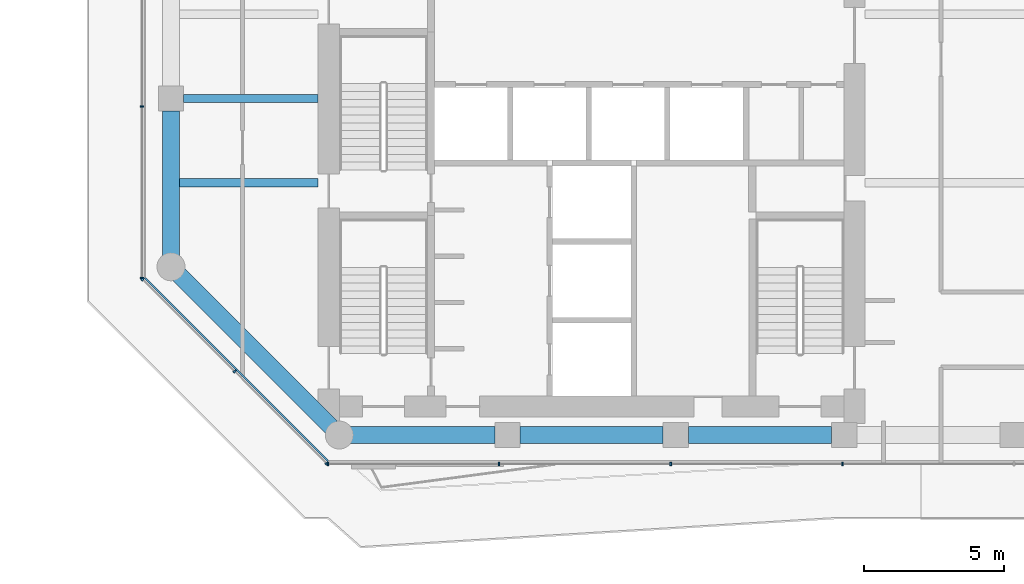
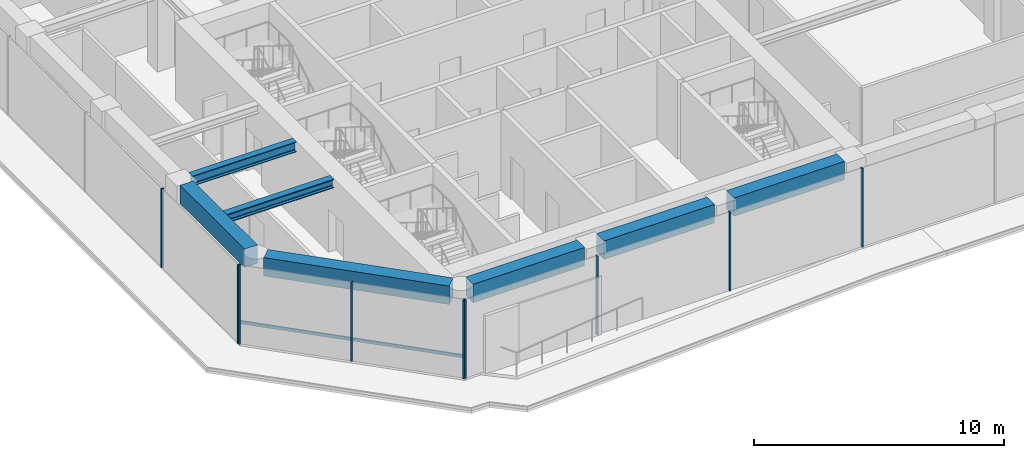
# One storey, part 2 of 23: 10 members, 7 beams, 3 elements without a shape of their own.
"""IFC4 building model written with IfcOpenShell, lengths in metres."""

from ifc_helpers import new_model, si_unit, direction, frame, origin, origin_2d, place, context, subcontext, project, spatial, rectangle, i_section, extrude, material, layer, layer_set, material_profile, profile_set, type_object, element, aggregate, save


model = new_model("IFC4")

# Units and contexts
model_context = context("Model", 3, precision=1e-05, world=origin(), true_north=direction((0.0, 1.0)))
body_context = subcontext(model_context, "Body", "Model", "MODEL_VIEW")
ifc_project = project(units=[si_unit("LENGTHUNIT", "METRE"), si_unit("AREAUNIT", "SQUARE_METRE"), si_unit("VOLUMEUNIT", "CUBIC_METRE"), si_unit("PLANEANGLEUNIT", "RADIAN"), si_unit("MASSUNIT", "GRAM", prefix="KILO")], contexts=[model_context])

# Site, building, storey
site_placement = place(None, origin())
site = spatial("IfcSite", under=ifc_project, at=site_placement, CompositionType="ELEMENT")
building_placement = place(site_placement, origin())
building = spatial("IfcBuilding", under=site, at=building_placement, Name="Welwitschia Terrace Campus", CompositionType="ELEMENT")
storey_placement = place(building_placement, frame((0.0, 0.0, 96.199951171875)))
storey = spatial("IfcBuildingStorey", under=building, at=storey_placement, Name="L21", CompositionType="ELEMENT", Elevation=96.199951171875)

# Beam
ifc_material_1 = material(Name="Steel S355", Category="steel")
ifc_material_profile_1 = material_profile(ifc_material_1, i_section(OverallWidth=0.306884765625, OverallDepth=0.431884765625, WebThickness=0.02099609375, FlangeThickness=0.0400390625, FilletRadius=0.027099609375, at=origin_2d()))
ifc_profile_set_1 = profile_set([ifc_material_profile_1], Name="Steel S355")
beam_type_1 = type_object("IfcBeamType", Name="Interior girder HE 400 M", PredefinedType="BEAM", material=ifc_profile_set_1)
beam_1_placement = place(storey_placement, frame((-0.010009765625, 13.0, 3.634033203125), z_axis=(1.0, 0.0, 0.0), x_axis=(0.0, 1.0, 0.0)))
element("IfcBeam", 1, at=beam_1_placement, inside=storey, type_object=beam_type_1, Name="Girder GB3", PredefinedType="BEAM", context=body_context, shape_type="SweptSolid", body=[
    extrude(i_section(OverallWidth=0.306884765625, OverallDepth=0.431884765625, WebThickness=0.02099609375, FlangeThickness=0.0400390625, FilletRadius=0.027099609375, at=origin_2d()), origin(), (0.0, 0.0, 1.0), 5.259033203125),
])

# Curtain wall, members
ifc_material_2 = material(Name="Bronze anodised aluminium", Category="aluminium")
ifc_layer = layer(ifc_material_2, 0.1201171875)
ifc_layer_set = layer_set([ifc_layer], Name="Bronze anodised aluminium")
curtain_wall_type = type_object("IfcCurtainWallType", Name="Curtain wall CW2 tower 6000", PredefinedType="NOTDEFINED", material=ifc_layer_set)
curtain_wall_1_placement = place(storey_placement, origin())
curtain_wall_1 = element("IfcCurtainWall", 2, at=curtain_wall_1_placement, inside=storey, type_object=curtain_wall_type, Name="CW L21.0.0", PredefinedType="NOTDEFINED")
ifc_material_3 = material(Name="Bronze anodised aluminium", Category="aluminium")
ifc_material_profile_2 = material_profile(ifc_material_3, rectangle(XDim=0.1201171875, YDim=0.06005859375, at=origin_2d()))
ifc_profile_set_2 = profile_set([ifc_material_profile_2], Name="Bronze anodised aluminium")
member_type_1 = type_object("IfcMemberType", Name="Mullion 60x120", PredefinedType="MULLION", material=ifc_profile_set_2)
member_1_placement = place(storey_placement, frame((-1.0087890625, 9.55224609375, 0.0), z_axis=(0.0, 0.0, 1.0), x_axis=(0.707106781187, 0.707106781187, 0.0)))
member_1 = element("IfcMember", 3, at=member_1_placement, type_object=member_type_1, Name="Mullion L21.0.0.0", PredefinedType="MULLION", context=body_context, shape_type="SweptSolid", body=[
    extrude(rectangle(XDim=0.1201171875, YDim=0.06005859375, at=origin_2d()), origin(), (0.0, 0.0, 1.0), 3.85009765625),
])
member_2_placement = place(storey_placement, frame((2.271728515625, 6.271728515625, 0.0), z_axis=(0.0, 0.0, 1.0), x_axis=(0.707106781187, 0.707106781187, 0.0)))
member_2 = element("IfcMember", 4, at=member_2_placement, type_object=member_type_1, Name="Mullion L21.0.0.1", PredefinedType="MULLION", context=body_context, shape_type="SweptSolid", body=[
    extrude(rectangle(XDim=0.1201171875, YDim=0.06005859375, at=origin_2d()), origin(), (0.0, 0.0, 1.0), 3.85009765625),
])
member_3_placement = place(storey_placement, frame((5.55224609375, 2.9912109375, 0.0), z_axis=(0.0, 0.0, 1.0), x_axis=(0.707106781187, 0.707106781187, 0.0)))
member_3 = element("IfcMember", 5, at=member_3_placement, type_object=member_type_1, Name="Mullion L21.0.0.2", PredefinedType="MULLION", context=body_context, shape_type="SweptSolid", body=[
    extrude(rectangle(XDim=0.1201171875, YDim=0.06005859375, at=origin_2d()), origin(), (0.0, 0.0, 1.0), 3.85009765625),
])

curtain_wall_2_placement = place(storey_placement, origin())
curtain_wall_2 = element("IfcCurtainWall", 6, at=curtain_wall_2_placement, inside=storey, type_object=curtain_wall_type, Name="CW L21.1.0", PredefinedType="NOTDEFINED")
member_4_placement = place(storey_placement, frame((5.603271484375, 2.969970703125, 0.0), z_axis=(0.0, 0.0, 1.0), x_axis=(0.0, 1.0, 0.0)))
member_4 = element("IfcMember", 7, at=member_4_placement, type_object=member_type_1, Name="Mullion L21.1.0.0", PredefinedType="MULLION", context=body_context, shape_type="SweptSolid", body=[
    extrude(rectangle(XDim=0.1201171875, YDim=0.06005859375, at=origin_2d()), origin(), (0.0, 0.0, 1.0), 3.85009765625),
])
member_5_placement = place(storey_placement, frame((11.6953125, 2.969970703125, 0.0), z_axis=(0.0, 0.0, 1.0), x_axis=(0.0, 1.0, 0.0)))
member_5 = element("IfcMember", 8, at=member_5_placement, type_object=member_type_1, Name="Mullion L21.1.0.1", PredefinedType="MULLION", context=body_context, shape_type="SweptSolid", body=[
    extrude(rectangle(XDim=0.1201171875, YDim=0.06005859375, at=origin_2d()), origin(), (0.0, 0.0, 1.0), 3.85009765625),
])
member_6_placement = place(storey_placement, frame((17.817138671875, 2.969970703125, 0.0), z_axis=(0.0, 0.0, 1.0), x_axis=(0.0, 1.0, 0.0)))
member_6 = element("IfcMember", 9, at=member_6_placement, type_object=member_type_1, Name="Mullion L21.1.0.2", PredefinedType="MULLION", context=body_context, shape_type="SweptSolid", body=[
    extrude(rectangle(XDim=0.1201171875, YDim=0.06005859375, at=origin_2d()), origin(), (0.0, 0.0, 1.0), 3.85009765625),
])
member_7_placement = place(storey_placement, frame((23.93896484375, 2.969970703125, 0.0), z_axis=(0.0, 0.0, 1.0), x_axis=(0.0, 1.0, 0.0)))
member_7 = element("IfcMember", 10, at=member_7_placement, type_object=member_type_1, Name="Mullion L21.1.0.3", PredefinedType="MULLION", context=body_context, shape_type="SweptSolid", body=[
    extrude(rectangle(XDim=0.1201171875, YDim=0.06005859375, at=origin_2d()), origin(), (0.0, 0.0, 1.0), 3.85009765625),
])
aggregate(curtain_wall_2, [member_4, member_5, member_6, member_7])

curtain_wall_3_placement = place(storey_placement, origin())
curtain_wall_3 = element("IfcCurtainWall", 11, at=curtain_wall_3_placement, inside=storey, type_object=curtain_wall_type, Name="CW L21.10.6", PredefinedType="NOTDEFINED")
member_8_placement = place(storey_placement, frame((-1.030029296875, 15.718994140625, 0.0), z_axis=(0.0, 0.0, 1.0), x_axis=(1.0, 0.0, 0.0)))
member_8 = element("IfcMember", 12, at=member_8_placement, type_object=member_type_1, Name="Mullion L21.10.6.3", PredefinedType="MULLION", context=body_context, shape_type="SweptSolid", body=[
    extrude(rectangle(XDim=0.1201171875, YDim=0.06005859375, at=origin_2d()), origin(), (0.0, 0.0, 1.0), 3.85009765625),
])
member_9_placement = place(storey_placement, frame((-1.030029296875, 9.603271484375, 0.0), z_axis=(0.0, 0.0, 1.0), x_axis=(1.0, 0.0, 0.0)))
member_9 = element("IfcMember", 13, at=member_9_placement, type_object=member_type_1, Name="Mullion L21.10.6.4", PredefinedType="MULLION", context=body_context, shape_type="SweptSolid", body=[
    extrude(rectangle(XDim=0.1201171875, YDim=0.06005859375, at=origin_2d()), origin(), (0.0, 0.0, 1.0), 3.85009765625),
])
aggregate(curtain_wall_3, [member_8, member_9])

# Beams
ifc_material_4 = material(Name="Steel S355", Category="steel")
ifc_material_profile_3 = material_profile(ifc_material_4, i_section(OverallWidth=0.300048828125, OverallDepth=0.5, WebThickness=0.014404296875, FlangeThickness=0.028076171875, FilletRadius=0.027099609375, at=origin_2d()))
ifc_profile_set_3 = profile_set([ifc_material_profile_3], Name="Steel S355")
beam_type_2 = type_object("IfcBeamType", Name="Primary beam HE 500 B", PredefinedType="BEAM", material=ifc_profile_set_3)
beam_2_placement = place(storey_placement, frame((0.450439453125, 16.0, 3.60009765625), z_axis=(1.0, 0.0, 0.0), x_axis=(0.0, 1.0, 0.0)))
element("IfcBeam", 14, at=beam_2_placement, inside=storey, type_object=beam_type_2, Name="Primary beam PB3", PredefinedType="BEAM", context=body_context, shape_type="SweptSolid", body=[
    extrude(i_section(OverallWidth=0.300048828125, OverallDepth=0.5, WebThickness=0.014404296875, FlangeThickness=0.028076171875, FilletRadius=0.027099609375, at=origin_2d()), origin(), (0.0, 0.0, 1.0), 4.799560546875),
])
ifc_material_5 = material(Name="Concrete C60/75", Category="concrete")
ifc_material_profile_4 = material_profile(ifc_material_5, rectangle(XDim=0.60009765625, YDim=0.89990234375, at=origin_2d()))
ifc_profile_set_4 = profile_set([ifc_material_profile_4], Name="Concrete C60/75")
beam_type_3 = type_object("IfcBeamType", Name="Ring spandrel 600x900", PredefinedType="SPANDREL", material=ifc_profile_set_4)
beam_3_placement = place(storey_placement, frame((0.283203125, 9.716796875, 3.400146484375), z_axis=(0.707106781187, -0.707106781187, 0.0), x_axis=(0.707106781187, 0.707106781187, 0.0)))
element("IfcBeam", 15, at=beam_3_placement, inside=storey, type_object=beam_type_3, Name="Spandrel SP2", PredefinedType="SPANDREL", context=body_context, shape_type="SweptSolid", body=[
    extrude(rectangle(XDim=0.60009765625, YDim=0.89990234375, at=origin_2d()), origin(), (0.0, 0.0, 1.0), 7.684326171875),
])
beam_4_placement = place(storey_placement, frame((6.400390625, 4.0, 3.400146484375), z_axis=(1.0, 0.0, 0.0), x_axis=(0.0, 1.0, 0.0)))
element("IfcBeam", 16, at=beam_4_placement, inside=storey, type_object=beam_type_3, Name="Spandrel SP2", PredefinedType="SPANDREL", context=body_context, shape_type="SweptSolid", body=[
    extrude(rectangle(XDim=0.60009765625, YDim=0.89990234375, at=origin_2d()), origin(), (0.0, 0.0, 1.0), 5.149169921875),
])
for number, where, z_axis, x_axis, name in (
    (17, (12.450439453125, 4.0, 3.400146484375), (1.0, 0.0, 0.0), (0.0, 1.0, 0.0), "Spandrel SP2"),
    (18, (18.450439453125, 4.0, 3.400146484375), (1.0, 0.0, 0.0), (0.0, 1.0, 0.0), "Spandrel SP2"),
):
    element("IfcBeam", number, at=place(storey_placement, frame(where, z_axis=z_axis, x_axis=x_axis)), inside=storey, type_object=beam_type_3, Name=name, PredefinedType="SPANDREL", context=body_context, shape_type="SweptSolid", body=[
        extrude(rectangle(XDim=0.60009765625, YDim=0.89990234375, at=origin_2d()), origin(), (0.0, 0.0, 1.0), 5.09912109375),
    ])
beam_5_placement = place(storey_placement, frame((0.0, 15.549560546875, 3.400146484375), z_axis=(0.0, -1.0, 0.0), x_axis=(1.0, 0.0, 0.0)))
element("IfcBeam", 19, at=beam_5_placement, inside=storey, type_object=beam_type_3, Name="Spandrel SP2", PredefinedType="SPANDREL", context=body_context, shape_type="SweptSolid", body=[
    extrude(rectangle(XDim=0.60009765625, YDim=0.89990234375, at=origin_2d()), origin(), (0.0, 0.0, 1.0), 5.149169921875),
])

# Member
ifc_material_6 = material(Name="Bronze anodised aluminium", Category="aluminium")
ifc_material_profile_5 = material_profile(ifc_material_6, rectangle(XDim=0.06005859375, YDim=0.14990234375, at=origin_2d()))
ifc_profile_set_5 = profile_set([ifc_material_profile_5], Name="Bronze anodised aluminium")
member_type_2 = type_object("IfcMemberType", Name="Transom 60x150", PredefinedType="USERDEFINED", material=ifc_profile_set_5)
member_10_placement = place(storey_placement, frame((-0.923828125, 9.594482421875, 1.0), z_axis=(0.707106781187, -0.707106781187, 0.0), x_axis=(0.707106781187, 0.707106781187, 0.0)))
member_10 = element("IfcMember", 20, at=member_10_placement, type_object=member_type_2, Name="Transom L21.0.0", ObjectType="TRANSOM", PredefinedType="USERDEFINED", context=body_context, shape_type="SweptSolid", body=[
    extrude(rectangle(XDim=0.06005859375, YDim=0.14990234375, at=origin_2d()), origin(), (0.0, 0.0, 1.0), 9.21826171875),
])

aggregate(curtain_wall_1, [member_1, member_2, member_3, member_10])

save(model, "model.ifc")
